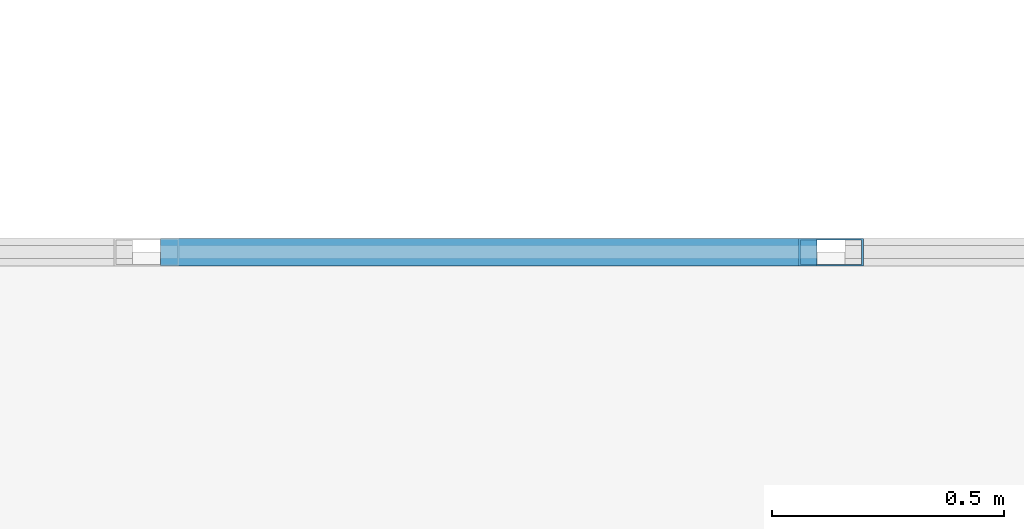
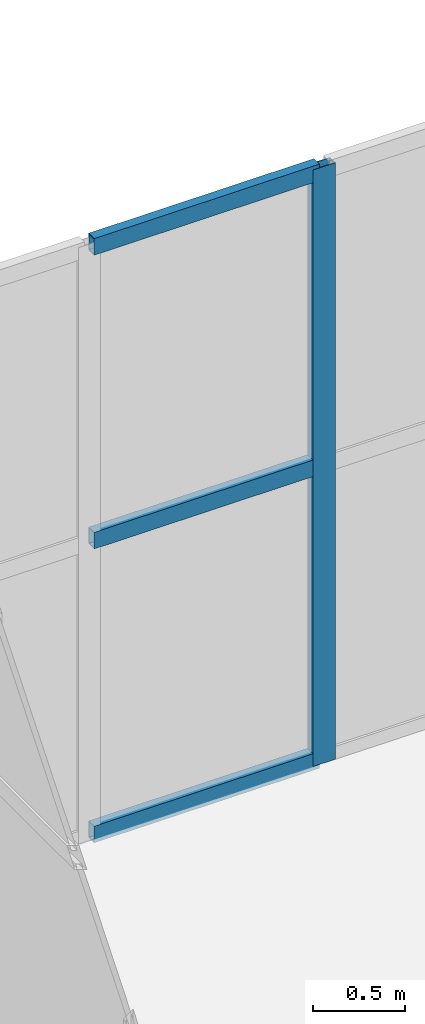
# One storey, part 70 of 140: 4 members, 1 element without a shape of its own.
"""IFC4 building model written with IfcOpenShell, lengths in metres."""

from ifc_helpers import new_model, si_unit, direction, frame, origin, origin_2d, place, context, subcontext, project, spatial, hollow_rectangle, extrude, material, layer, layer_set, material_profile, profile_set, type_object, element, aggregate, save


model = new_model("IFC4")

# Units and contexts
model_context = context("Model", 3, precision=1e-05, world=origin(), true_north=direction((0.0, 1.0)))
body_context = subcontext(model_context, "Body", "Model", "MODEL_VIEW")
ifc_project = project(units=[si_unit("LENGTHUNIT", "METRE"), si_unit("AREAUNIT", "SQUARE_METRE"), si_unit("VOLUMEUNIT", "CUBIC_METRE"), si_unit("PLANEANGLEUNIT", "RADIAN"), si_unit("MASSUNIT", "GRAM", prefix="KILO")], contexts=[model_context])

# Site, building, storey
site_placement = place(None, origin())
site = spatial("IfcSite", under=ifc_project, at=site_placement, CompositionType="ELEMENT")
building_placement = place(site_placement, origin())
building = spatial("IfcBuilding", under=site, at=building_placement, Name="Trelvath General Hospital", CompositionType="ELEMENT")
storey_placement = place(building_placement, frame((0.0, 0.0, 16.199951171875)))
storey = spatial("IfcBuildingStorey", under=building, at=storey_placement, Name="L04", CompositionType="ELEMENT", Elevation=16.199951171875)

# Curtain wall, members
ifc_material_1 = material(Name="Anodised aluminium and low-E glass", Category="aluminium")
ifc_layer = layer(ifc_material_1, 0.139892578125)
ifc_layer_set = layer_set([ifc_layer], Name="Anodised aluminium and low-E glass")
curtain_wall_type = type_object("IfcCurtainWallType", Name="CW CrystalCube 737 396 14", PredefinedType="USERDEFINED", material=ifc_layer_set)
curtain_wall_placement = place(storey_placement, origin())
curtain_wall = element("IfcCurtainWall", 1, at=curtain_wall_placement, inside=storey, type_object=curtain_wall_type, Name="Crystal Cube Curtain Wall CUBE-E-T1 N1 L04", ObjectType="Unitised Glazed Curtain Wall", PredefinedType="USERDEFINED")
ifc_material_2 = material(Name="Anodised aluminium", Category="aluminium")
ifc_material_profile_1 = material_profile(ifc_material_2, hollow_rectangle(XDim=0.06005859375, YDim=0.139892578125, WallThickness=0.00390625, at=origin_2d()), Name="RHS60x140x4")
ifc_profile_set_1 = profile_set([ifc_material_profile_1], Name="Anodised aluminium")
member_type_1 = type_object("IfcMemberType", Name="CurtainMullion 60x140", PredefinedType="MULLION", material=ifc_profile_set_1)
member_1_placement = place(storey_placement, frame((95.4267578125, 80.39990234375, 0.0), z_axis=(0.0, 0.0, 1.0), x_axis=(0.0, 1.0, 0.0)))
member_1 = element("IfcMember", 2, at=member_1_placement, type_object=member_type_1, Name="CW-285 mullion 3", PredefinedType="MULLION", context=body_context, shape_type="SweptSolid", body=[
    extrude(hollow_rectangle(XDim=0.06005859375, YDim=0.139892578125, WallThickness=0.00390625, at=origin_2d()), origin(), (0.0, 0.0, 1.0), 3.9599609375),
])
ifc_material_3 = material(Name="Anodised aluminium", Category="aluminium")
ifc_material_profile_2 = material_profile(ifc_material_3, hollow_rectangle(XDim=0.06005859375, YDim=0.110107421875, WallThickness=0.00390625, at=origin_2d()), Name="RHS60x110x4")
ifc_profile_set_2 = profile_set([ifc_material_profile_2], Name="Anodised aluminium")
member_type_2 = type_object("IfcMemberType", Name="CurtainTransom 60x110", PredefinedType="USERDEFINED", material=ifc_profile_set_2)
member_2_placement = place(storey_placement, frame((93.9833984375, 80.39990234375, 0.030029296875), z_axis=(1.0, 0.0, 0.0), x_axis=(0.0, 1.0, 0.0)))
member_2 = element("IfcMember", 3, at=member_2_placement, type_object=member_type_2, Name="CW-285 transom 2.1", ObjectType="TRANSOM", PredefinedType="USERDEFINED", context=body_context, shape_type="SweptSolid", body=[
    extrude(hollow_rectangle(XDim=0.06005859375, YDim=0.110107421875, WallThickness=0.00390625, at=origin_2d()), origin(), (0.0, 0.0, 1.0), 1.413330078125),
])
member_3_placement = place(storey_placement, frame((93.9833984375, 80.39990234375, 1.97998046875), z_axis=(1.0, 0.0, 0.0), x_axis=(0.0, 1.0, 0.0)))
member_3 = element("IfcMember", 4, at=member_3_placement, type_object=member_type_2, Name="CW-285 transom 2.2", ObjectType="TRANSOM", PredefinedType="USERDEFINED", context=body_context, shape_type="SweptSolid", body=[
    extrude(hollow_rectangle(XDim=0.06005859375, YDim=0.110107421875, WallThickness=0.00390625, at=origin_2d()), origin(), (0.0, 0.0, 1.0), 1.413330078125),
])
member_4_placement = place(storey_placement, frame((93.9833984375, 80.39990234375, 3.929931640625), z_axis=(1.0, 0.0, 0.0), x_axis=(0.0, 1.0, 0.0)))
member_4 = element("IfcMember", 5, at=member_4_placement, type_object=member_type_2, Name="CW-285 transom 2.3", ObjectType="TRANSOM", PredefinedType="USERDEFINED", context=body_context, shape_type="SweptSolid", body=[
    extrude(hollow_rectangle(XDim=0.06005859375, YDim=0.110107421875, WallThickness=0.00390625, at=origin_2d()), origin(), (0.0, 0.0, 1.0), 1.413330078125),
])
aggregate(curtain_wall, [member_1, member_2, member_3, member_4])

save(model, "model.ifc")
